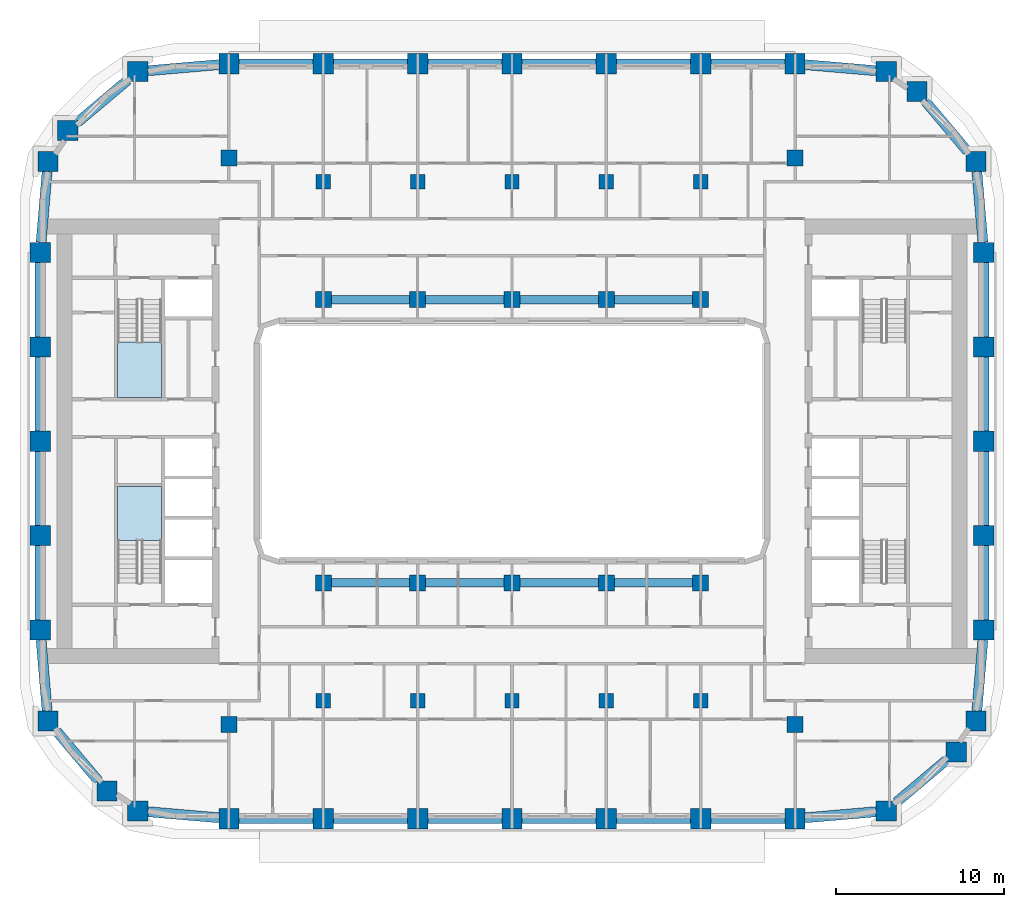
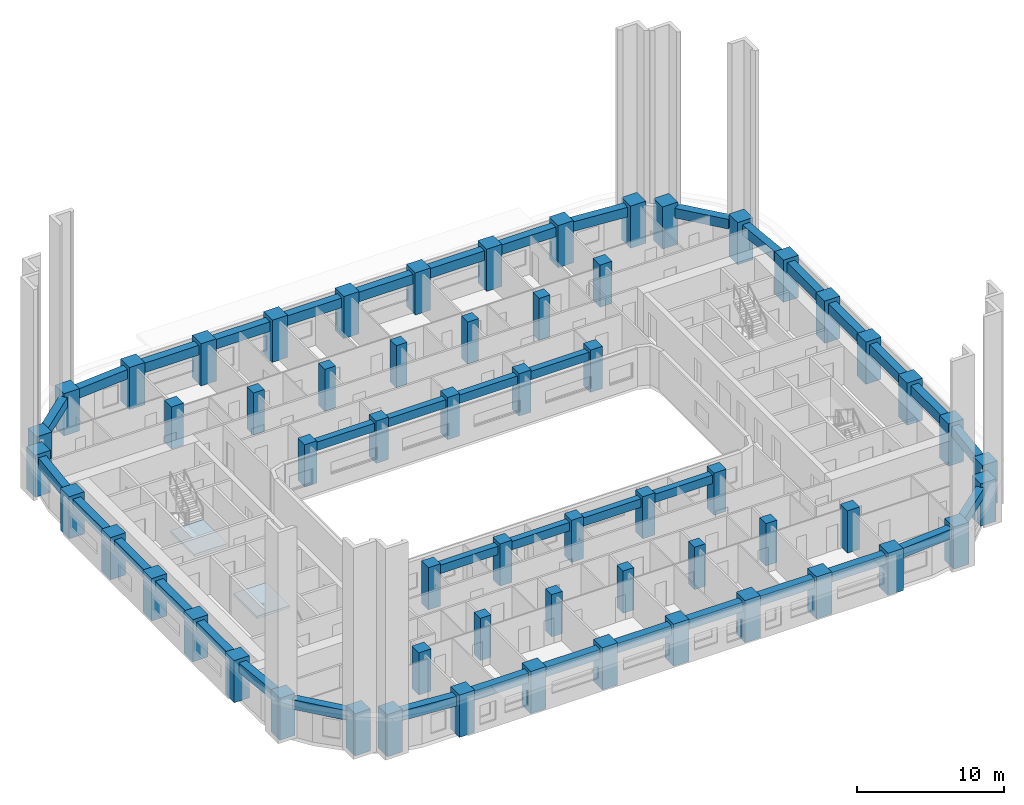
# One storey, part 1 of 23: 60 columns, 40 beams, 2 slabs, 2 elements without a shape of their own.
"""IFC4 building model written with IfcOpenShell, lengths in metres."""

from ifc_helpers import new_model, si_unit, direction, frame, origin, origin_2d, place, context, subcontext, project, spatial, polyline, rectangle, outline, extrude, material, layer, layer_set, material_profile, profile_set, type_object, element, aggregate, save


model = new_model("IFC4")

# Units and contexts
model_context = context("Model", 3, precision=1e-05, world=origin(), true_north=direction((0.0, 1.0)))
body_context = subcontext(model_context, "Body", "Model", "MODEL_VIEW")
ifc_project = project(units=[si_unit("LENGTHUNIT", "METRE"), si_unit("AREAUNIT", "SQUARE_METRE"), si_unit("VOLUMEUNIT", "CUBIC_METRE"), si_unit("PLANEANGLEUNIT", "RADIAN"), si_unit("MASSUNIT", "GRAM", prefix="KILO")], contexts=[model_context])

# Site, building, storey
site_placement = place(None, origin())
site = spatial("IfcSite", under=ifc_project, at=site_placement, CompositionType="ELEMENT")
building_placement = place(site_placement, origin())
building = spatial("IfcBuilding", under=site, at=building_placement, Name="Kiln Ring Residences", CompositionType="ELEMENT")
storey_placement = place(building_placement, frame((0.0, 0.0, 107.800048828125)))
storey = spatial("IfcBuildingStorey", under=building, at=storey_placement, Name="L27", CompositionType="ELEMENT", Elevation=107.800048828125)

# Columns
ifc_material_1 = material(Name="Concrete C80/95", Category="concrete")
ifc_material_profile_1 = material_profile(ifc_material_1, rectangle(XDim=0.85009765625, YDim=0.85009765625, at=origin_2d()), Name="RC850x850")
ifc_profile_set_1 = profile_set([ifc_material_profile_1], Name="Concrete C80/95")
column_type_1 = type_object("IfcColumnType", Name="Corridor column RC850x850 C80/95", PredefinedType="COLUMN", material=ifc_profile_set_1)
for number, where, z_axis, x_axis, name in (
    (1, (-11.199951171875, 15.39990234375, 0.0), (0.0, 0.0, 1.0), (1.0, 0.0, 0.0), "Corridor column L27 1"),
    (2, (-5.60009765625, 15.39990234375, 0.0), (0.0, 0.0, 1.0), (1.0, 0.0, 0.0), "Corridor column L27 2"),
    (3, (0.0, 15.39990234375, 0.0), (0.0, 0.0, 1.0), (1.0, 0.0, 0.0), "Corridor column L27 3"),
    (4, (5.60009765625, 15.39990234375, 0.0), (0.0, 0.0, 1.0), (1.0, 0.0, 0.0), "Corridor column L27 4"),
    (5, (11.199951171875, 15.39990234375, 0.0), (0.0, 0.0, 1.0), (1.0, 0.0, 0.0), "Corridor column L27 5"),
    (6, (-11.199951171875, -15.39990234375, 0.0), (0.0, 0.0, 1.0), (1.0, 0.0, 0.0), "Corridor column L27 6"),
    (7, (-5.60009765625, -15.39990234375, 0.0), (0.0, 0.0, 1.0), (1.0, 0.0, 0.0), "Corridor column L27 7"),
    (8, (0.0, -15.39990234375, 0.0), (0.0, 0.0, 1.0), (1.0, 0.0, 0.0), "Corridor column L27 8"),
    (9, (5.60009765625, -15.39990234375, 0.0), (0.0, 0.0, 1.0), (1.0, 0.0, 0.0), "Corridor column L27 9"),
    (10, (11.199951171875, -15.39990234375, 0.0), (0.0, 0.0, 1.0), (1.0, 0.0, 0.0), "Corridor column L27 10"),
):
    element("IfcColumn", number, at=place(storey_placement, frame(where, z_axis=z_axis, x_axis=x_axis)), inside=storey, type_object=column_type_1, Name=name, PredefinedType="COLUMN", context=body_context, shape_type="SweptSolid", body=[
        extrude(rectangle(XDim=0.85009765625, YDim=0.85009765625, at=origin_2d()), origin(), (0.0, 0.0, 1.0), 3.5),
    ])
ifc_material_2 = material(Name="Concrete C80/95", Category="concrete")
ifc_material_profile_2 = material_profile(ifc_material_2, rectangle(XDim=1.199951171875, YDim=1.199951171875, at=origin_2d()), Name="RC1200x1200")
ifc_profile_set_2 = profile_set([ifc_material_profile_2], Name="Concrete C80/95")
column_type_2 = type_object("IfcColumnType", Name="Perimeter column RC1200x1200 C80/95", PredefinedType="COLUMN", material=ifc_profile_set_2)
for number, where, z_axis, x_axis, name in (
    (11, (-22.208740234375, -21.93798828125, 0.0), (0.0, 0.0, 1.0), (1.0, 0.0, 0.0), "Perimeter column L27 1"),
    (12, (-16.800048828125, -22.39990234375, 0.0), (0.0, 0.0, 1.0), (1.0, 0.0, 0.0), "Perimeter column L27 2"),
    (13, (-11.199951171875, -22.39990234375, 0.0), (0.0, 0.0, 1.0), (1.0, 0.0, 0.0), "Perimeter column L27 3"),
    (14, (-5.60009765625, -22.39990234375, 0.0), (0.0, 0.0, 1.0), (1.0, 0.0, 0.0), "Perimeter column L27 4"),
    (15, (0.0, -22.39990234375, 0.0), (0.0, 0.0, 1.0), (1.0, 0.0, 0.0), "Perimeter column L27 5"),
    (16, (5.60009765625, -22.39990234375, 0.0), (0.0, 0.0, 1.0), (1.0, 0.0, 0.0), "Perimeter column L27 6"),
    (17, (11.199951171875, -22.39990234375, 0.0), (0.0, 0.0, 1.0), (1.0, 0.0, 0.0), "Perimeter column L27 7"),
    (18, (16.800048828125, -22.39990234375, 0.0), (0.0, 0.0, 1.0), (1.0, 0.0, 0.0), "Perimeter column L27 8"),
    (19, (22.208740234375, -21.93798828125, 0.0), (0.0, 0.0, 1.0), (1.0, 0.0, 0.0), "Perimeter column L27 9"),
    (20, (26.35986328125, -18.440185546875, 0.0), (0.0, 0.0, 1.0), (1.0, 0.0, 0.0), "Perimeter column L27 10"),
    (21, (27.5380859375, -16.608642578125, 0.0), (0.0, 0.0, 1.0), (1.0, 0.0, 0.0), "Perimeter column L27 11"),
    (22, (28.0, -11.199951171875, 0.0), (0.0, 0.0, 1.0), (1.0, 0.0, 0.0), "Perimeter column L27 12"),
    (23, (28.0, -5.60009765625, 0.0), (0.0, 0.0, 1.0), (1.0, 0.0, 0.0), "Perimeter column L27 13"),
    (24, (28.0, 0.0, 0.0), (0.0, 0.0, 1.0), (1.0, 0.0, 0.0), "Perimeter column L27 14"),
    (25, (28.0, 5.60009765625, 0.0), (0.0, 0.0, 1.0), (1.0, 0.0, 0.0), "Perimeter column L27 15"),
    (26, (28.0, 11.199951171875, 0.0), (0.0, 0.0, 1.0), (1.0, 0.0, 0.0), "Perimeter column L27 16"),
    (27, (27.5380859375, 16.608642578125, 0.0), (0.0, 0.0, 1.0), (1.0, 0.0, 0.0), "Perimeter column L27 17"),
    (28, (24.040283203125, 20.759765625, 0.0), (0.0, 0.0, 1.0), (1.0, 0.0, 0.0), "Perimeter column L27 18"),
    (29, (22.208740234375, 21.93798828125, 0.0), (0.0, 0.0, 1.0), (1.0, 0.0, 0.0), "Perimeter column L27 19"),
    (30, (16.800048828125, 22.39990234375, 0.0), (0.0, 0.0, 1.0), (1.0, 0.0, 0.0), "Perimeter column L27 20"),
    (31, (11.199951171875, 22.39990234375, 0.0), (0.0, 0.0, 1.0), (1.0, 0.0, 0.0), "Perimeter column L27 21"),
    (32, (5.60009765625, 22.39990234375, 0.0), (0.0, 0.0, 1.0), (1.0, 0.0, 0.0), "Perimeter column L27 22"),
    (33, (0.0, 22.39990234375, 0.0), (0.0, 0.0, 1.0), (1.0, 0.0, 0.0), "Perimeter column L27 23"),
    (34, (-5.60009765625, 22.39990234375, 0.0), (0.0, 0.0, 1.0), (1.0, 0.0, 0.0), "Perimeter column L27 24"),
    (35, (-11.199951171875, 22.39990234375, 0.0), (0.0, 0.0, 1.0), (1.0, 0.0, 0.0), "Perimeter column L27 25"),
    (36, (-16.800048828125, 22.39990234375, 0.0), (0.0, 0.0, 1.0), (1.0, 0.0, 0.0), "Perimeter column L27 26"),
    (37, (-22.208740234375, 21.93798828125, 0.0), (0.0, 0.0, 1.0), (1.0, 0.0, 0.0), "Perimeter column L27 27"),
    (38, (-26.35986328125, 18.440185546875, 0.0), (0.0, 0.0, 1.0), (1.0, 0.0, 0.0), "Perimeter column L27 28"),
    (39, (-27.5380859375, 16.608642578125, 0.0), (0.0, 0.0, 1.0), (1.0, 0.0, 0.0), "Perimeter column L27 29"),
    (40, (-28.0, 11.199951171875, 0.0), (0.0, 0.0, 1.0), (1.0, 0.0, 0.0), "Perimeter column L27 30"),
    (41, (-28.0, 5.60009765625, 0.0), (0.0, 0.0, 1.0), (1.0, 0.0, 0.0), "Perimeter column L27 31"),
    (42, (-28.0, 0.0, 0.0), (0.0, 0.0, 1.0), (1.0, 0.0, 0.0), "Perimeter column L27 32"),
    (43, (-28.0, -5.60009765625, 0.0), (0.0, 0.0, 1.0), (1.0, 0.0, 0.0), "Perimeter column L27 33"),
    (44, (-28.0, -11.199951171875, 0.0), (0.0, 0.0, 1.0), (1.0, 0.0, 0.0), "Perimeter column L27 34"),
    (45, (-27.5380859375, -16.608642578125, 0.0), (0.0, 0.0, 1.0), (1.0, 0.0, 0.0), "Perimeter column L27 35"),
    (46, (-24.040283203125, -20.759765625, 0.0), (0.0, 0.0, 1.0), (1.0, 0.0, 0.0), "Perimeter column L27 36"),
):
    element("IfcColumn", number, at=place(storey_placement, frame(where, z_axis=z_axis, x_axis=x_axis)), inside=storey, type_object=column_type_2, Name=name, PredefinedType="COLUMN", context=body_context, shape_type="SweptSolid", body=[
        extrude(rectangle(XDim=1.199951171875, YDim=1.199951171875, at=origin_2d()), origin(), (0.0, 0.0, 1.0), 3.5),
    ])
ifc_material_3 = material(Name="Concrete C80/95", Category="concrete")
ifc_material_profile_3 = material_profile(ifc_material_3, rectangle(XDim=0.949951171875, YDim=0.949951171875, at=origin_2d()), Name="RC950x950")
ifc_profile_set_3 = profile_set([ifc_material_profile_3], Name="Concrete C80/95")
column_type_3 = type_object("IfcColumnType", Name="Ring column RC950x950 C80/95", PredefinedType="COLUMN", material=ifc_profile_set_3)
for number, where, z_axis, x_axis, name in (
    (47, (-16.800048828125, -16.800048828125, 0.0), (0.0, 0.0, 1.0), (1.0, 0.0, 0.0), "Ring column L27 1"),
    (48, (-16.800048828125, 16.800048828125, 0.0), (0.0, 0.0, 1.0), (1.0, 0.0, 0.0), "Ring column L27 2"),
    (49, (-11.199951171875, -8.39990234375, 0.0), (0.0, 0.0, 1.0), (1.0, 0.0, 0.0), "Ring column L27 3"),
    (50, (-11.199951171875, 8.39990234375, 0.0), (0.0, 0.0, 1.0), (1.0, 0.0, 0.0), "Ring column L27 4"),
    (51, (-5.60009765625, -8.39990234375, 0.0), (0.0, 0.0, 1.0), (1.0, 0.0, 0.0), "Ring column L27 5"),
    (52, (-5.60009765625, 8.39990234375, 0.0), (0.0, 0.0, 1.0), (1.0, 0.0, 0.0), "Ring column L27 6"),
    (53, (0.0, -8.39990234375, 0.0), (0.0, 0.0, 1.0), (1.0, 0.0, 0.0), "Ring column L27 7"),
    (54, (0.0, 8.39990234375, 0.0), (0.0, 0.0, 1.0), (1.0, 0.0, 0.0), "Ring column L27 8"),
    (55, (5.60009765625, -8.39990234375, 0.0), (0.0, 0.0, 1.0), (1.0, 0.0, 0.0), "Ring column L27 9"),
    (56, (5.60009765625, 8.39990234375, 0.0), (0.0, 0.0, 1.0), (1.0, 0.0, 0.0), "Ring column L27 10"),
    (57, (11.199951171875, -8.39990234375, 0.0), (0.0, 0.0, 1.0), (1.0, 0.0, 0.0), "Ring column L27 11"),
    (58, (11.199951171875, 8.39990234375, 0.0), (0.0, 0.0, 1.0), (1.0, 0.0, 0.0), "Ring column L27 12"),
    (59, (16.800048828125, -16.800048828125, 0.0), (0.0, 0.0, 1.0), (1.0, 0.0, 0.0), "Ring column L27 13"),
    (60, (16.800048828125, 16.800048828125, 0.0), (0.0, 0.0, 1.0), (1.0, 0.0, 0.0), "Ring column L27 14"),
):
    element("IfcColumn", number, at=place(storey_placement, frame(where, z_axis=z_axis, x_axis=x_axis)), inside=storey, type_object=column_type_3, Name=name, PredefinedType="COLUMN", context=body_context, shape_type="SweptSolid", body=[
        extrude(rectangle(XDim=0.949951171875, YDim=0.949951171875, at=origin_2d()), origin(), (0.0, 0.0, 1.0), 3.5),
    ])

# Beams
ifc_material_4 = material(Name="Concrete C50/60", Category="concrete")
ifc_material_profile_4 = material_profile(ifc_material_4, rectangle(XDim=0.5, YDim=0.699951171875, at=origin_2d()), Name="RC500x700")
ifc_profile_set_4 = profile_set([ifc_material_profile_4], Name="Concrete C50/60")
beam_type_1 = type_object("IfcBeamType", Name="Ring beam RC500x700 C50/60", PredefinedType="BEAM", material=ifc_profile_set_4)
beam_1_placement = place(storey_placement, frame((-10.72509765625, -8.39990234375, 2.849853515625), z_axis=(1.0, 0.0, 0.0), x_axis=(0.0, 1.0, 0.0)))
element("IfcBeam", 61, at=beam_1_placement, inside=storey, type_object=beam_type_1, Name="Ring beam L27 1", PredefinedType="BEAM", context=body_context, shape_type="SweptSolid", body=[
    extrude(rectangle(XDim=0.5, YDim=0.699951171875, at=origin_2d()), origin(), (0.0, 0.0, 1.0), 4.650146484375),
])
for number, where, z_axis, x_axis, name in (
    (62, (-5.125, -8.39990234375, 2.849853515625), (1.0, 0.0, 0.0), (0.0, 1.0, 0.0), "Ring beam L27 2"),
    (63, (0.47509765625, -8.39990234375, 2.849853515625), (1.0, 0.0, 0.0), (0.0, 1.0, 0.0), "Ring beam L27 3"),
):
    element("IfcBeam", number, at=place(storey_placement, frame(where, z_axis=z_axis, x_axis=x_axis)), inside=storey, type_object=beam_type_1, Name=name, PredefinedType="BEAM", context=body_context, shape_type="SweptSolid", body=[
        extrude(rectangle(XDim=0.5, YDim=0.699951171875, at=origin_2d()), origin(), (0.0, 0.0, 1.0), 4.64990234375),
    ])
for number, where, z_axis, x_axis, name in (
    (64, (6.074951171875, -8.39990234375, 2.849853515625), (1.0, 0.0, 0.0), (0.0, 1.0, 0.0), "Ring beam L27 4"),
    (65, (-10.72509765625, 8.39990234375, 2.849853515625), (1.0, 0.0, 0.0), (0.0, 1.0, 0.0), "Ring beam L27 5"),
):
    element("IfcBeam", number, at=place(storey_placement, frame(where, z_axis=z_axis, x_axis=x_axis)), inside=storey, type_object=beam_type_1, Name=name, PredefinedType="BEAM", context=body_context, shape_type="SweptSolid", body=[
        extrude(rectangle(XDim=0.5, YDim=0.699951171875, at=origin_2d()), origin(), (0.0, 0.0, 1.0), 4.650146484375),
    ])
for number, where, z_axis, x_axis, name in (
    (66, (-5.125, 8.39990234375, 2.849853515625), (1.0, 0.0, 0.0), (0.0, 1.0, 0.0), "Ring beam L27 6"),
    (67, (0.47509765625, 8.39990234375, 2.849853515625), (1.0, 0.0, 0.0), (0.0, 1.0, 0.0), "Ring beam L27 7"),
):
    element("IfcBeam", number, at=place(storey_placement, frame(where, z_axis=z_axis, x_axis=x_axis)), inside=storey, type_object=beam_type_1, Name=name, PredefinedType="BEAM", context=body_context, shape_type="SweptSolid", body=[
        extrude(rectangle(XDim=0.5, YDim=0.699951171875, at=origin_2d()), origin(), (0.0, 0.0, 1.0), 4.64990234375),
    ])
beam_2_placement = place(storey_placement, frame((6.074951171875, 8.39990234375, 2.849853515625), z_axis=(1.0, 0.0, 0.0), x_axis=(0.0, 1.0, 0.0)))
element("IfcBeam", 68, at=beam_2_placement, inside=storey, type_object=beam_type_1, Name="Ring beam L27 8", PredefinedType="BEAM", context=body_context, shape_type="SweptSolid", body=[
    extrude(rectangle(XDim=0.5, YDim=0.699951171875, at=origin_2d()), origin(), (0.0, 0.0, 1.0), 4.650146484375),
])
ifc_material_5 = material(Name="Concrete C50/60", Category="concrete")
ifc_material_profile_5 = material_profile(ifc_material_5, rectangle(XDim=0.60009765625, YDim=0.800048828125, at=origin_2d()), Name="RC600x800")
ifc_profile_set_5 = profile_set([ifc_material_profile_5], Name="Concrete C50/60")
beam_type_2 = type_object("IfcBeamType", Name="Spandrel beam RC600x800 C50/60", PredefinedType="SPANDREL", material=ifc_profile_set_5)
beam_3_placement = place(storey_placement, frame((-21.608642578125, -21.9892578125, 2.800048828125), z_axis=(0.996369376645, -0.085135570033, 0.0), x_axis=(0.085135570033, 0.996369376645, 0.0)))
element("IfcBeam", 69, at=beam_3_placement, inside=storey, type_object=beam_type_2, Name="Spandrel beam L27 1", PredefinedType="SPANDREL", context=body_context, shape_type="SweptSolid", body=[
    extrude(rectangle(XDim=0.60009765625, YDim=0.800048828125, at=origin_2d()), origin(), (0.0, 0.0, 1.0), 4.22412109375),
])
beam_4_placement = place(storey_placement, frame((-16.199951171875, -22.39990234375, 2.800048828125), z_axis=(1.0, 0.0, 0.0), x_axis=(0.0, 1.0, 0.0)))
element("IfcBeam", 70, at=beam_4_placement, inside=storey, type_object=beam_type_2, Name="Spandrel beam L27 2", PredefinedType="SPANDREL", context=body_context, shape_type="SweptSolid", body=[
    extrude(rectangle(XDim=0.60009765625, YDim=0.800048828125, at=origin_2d()), origin(), (0.0, 0.0, 1.0), 4.39990234375),
])
beam_5_placement = place(storey_placement, frame((-10.60009765625, -22.39990234375, 2.800048828125), z_axis=(1.0, 0.0, 0.0), x_axis=(0.0, 1.0, 0.0)))
element("IfcBeam", 71, at=beam_5_placement, inside=storey, type_object=beam_type_2, Name="Spandrel beam L27 3", PredefinedType="SPANDREL", context=body_context, shape_type="SweptSolid", body=[
    extrude(rectangle(XDim=0.60009765625, YDim=0.800048828125, at=origin_2d()), origin(), (0.0, 0.0, 1.0), 4.400146484375),
])
for number, where, z_axis, x_axis, name in (
    (72, (-5.0, -22.39990234375, 2.800048828125), (1.0, 0.0, 0.0), (0.0, 1.0, 0.0), "Spandrel beam L27 4"),
    (73, (0.60009765625, -22.39990234375, 2.800048828125), (1.0, 0.0, 0.0), (0.0, 1.0, 0.0), "Spandrel beam L27 5"),
):
    element("IfcBeam", number, at=place(storey_placement, frame(where, z_axis=z_axis, x_axis=x_axis)), inside=storey, type_object=beam_type_2, Name=name, PredefinedType="SPANDREL", context=body_context, shape_type="SweptSolid", body=[
        extrude(rectangle(XDim=0.60009765625, YDim=0.800048828125, at=origin_2d()), origin(), (0.0, 0.0, 1.0), 4.39990234375),
    ])
beam_6_placement = place(storey_placement, frame((6.199951171875, -22.39990234375, 2.800048828125), z_axis=(1.0, 0.0, 0.0), x_axis=(0.0, 1.0, 0.0)))
element("IfcBeam", 74, at=beam_6_placement, inside=storey, type_object=beam_type_2, Name="Spandrel beam L27 6", PredefinedType="SPANDREL", context=body_context, shape_type="SweptSolid", body=[
    extrude(rectangle(XDim=0.60009765625, YDim=0.800048828125, at=origin_2d()), origin(), (0.0, 0.0, 1.0), 4.400146484375),
])
beam_7_placement = place(storey_placement, frame((11.800048828125, -22.39990234375, 2.800048828125), z_axis=(1.0, 0.0, 0.0), x_axis=(0.0, 1.0, 0.0)))
element("IfcBeam", 75, at=beam_7_placement, inside=storey, type_object=beam_type_2, Name="Spandrel beam L27 7", PredefinedType="SPANDREL", context=body_context, shape_type="SweptSolid", body=[
    extrude(rectangle(XDim=0.60009765625, YDim=0.800048828125, at=origin_2d()), origin(), (0.0, 0.0, 1.0), 4.39990234375),
])
beam_8_placement = place(storey_placement, frame((17.39990234375, -22.348876953125, 2.800048828125), z_axis=(0.996369376645, 0.085135570033, 0.0), x_axis=(-0.085135570033, 0.996369376645, 0.0)))
element("IfcBeam", 76, at=beam_8_placement, inside=storey, type_object=beam_type_2, Name="Spandrel beam L27 8", PredefinedType="SPANDREL", context=body_context, shape_type="SweptSolid", body=[
    extrude(rectangle(XDim=0.60009765625, YDim=0.800048828125, at=origin_2d()), origin(), (0.0, 0.0, 1.0), 4.22412109375),
])
beam_9_placement = place(storey_placement, frame((22.80859375, -21.4326171875, 2.800048828125), z_axis=(0.764704456802, 0.644381171161, 0.0), x_axis=(-0.644381171161, 0.764704456802, 0.0)))
element("IfcBeam", 77, at=beam_9_placement, inside=storey, type_object=beam_type_2, Name="Spandrel beam L27 9", PredefinedType="SPANDREL", context=body_context, shape_type="SweptSolid", body=[
    extrude(rectangle(XDim=0.60009765625, YDim=0.800048828125, at=origin_2d()), origin(), (0.0, 0.0, 1.0), 3.859130859375),
])
beam_10_placement = place(storey_placement, frame((27.58935546875, -16.0087890625, 2.800048828125), z_axis=(0.085078191129, 0.996374277766, 0.0), x_axis=(-0.996374277766, 0.085078191129, 0.0)))
element("IfcBeam", 78, at=beam_10_placement, inside=storey, type_object=beam_type_2, Name="Spandrel beam L27 10", PredefinedType="SPANDREL", context=body_context, shape_type="SweptSolid", body=[
    extrude(rectangle(XDim=0.60009765625, YDim=0.800048828125, at=origin_2d()), origin(), (0.0, 0.0, 1.0), 4.22412109375),
])
beam_11_placement = place(storey_placement, frame((28.0, -10.60009765625, 2.800048828125), z_axis=(0.0, 1.0, 0.0), x_axis=(-1.0, 0.0, 0.0)))
element("IfcBeam", 79, at=beam_11_placement, inside=storey, type_object=beam_type_2, Name="Spandrel beam L27 11", PredefinedType="SPANDREL", context=body_context, shape_type="SweptSolid", body=[
    extrude(rectangle(XDim=0.60009765625, YDim=0.800048828125, at=origin_2d()), origin(), (0.0, 0.0, 1.0), 4.400146484375),
])
for number, where, z_axis, x_axis, name in (
    (80, (28.0, -5.0, 2.800048828125), (0.0, 1.0, 0.0), (-1.0, 0.0, 0.0), "Spandrel beam L27 12"),
    (81, (28.0, 0.60009765625, 2.800048828125), (0.0, 1.0, 0.0), (-1.0, 0.0, 0.0), "Spandrel beam L27 13"),
):
    element("IfcBeam", number, at=place(storey_placement, frame(where, z_axis=z_axis, x_axis=x_axis)), inside=storey, type_object=beam_type_2, Name=name, PredefinedType="SPANDREL", context=body_context, shape_type="SweptSolid", body=[
        extrude(rectangle(XDim=0.60009765625, YDim=0.800048828125, at=origin_2d()), origin(), (0.0, 0.0, 1.0), 4.39990234375),
    ])
beam_12_placement = place(storey_placement, frame((28.0, 6.199951171875, 2.800048828125), z_axis=(0.0, 1.0, 0.0), x_axis=(-1.0, 0.0, 0.0)))
element("IfcBeam", 82, at=beam_12_placement, inside=storey, type_object=beam_type_2, Name="Spandrel beam L27 14", PredefinedType="SPANDREL", context=body_context, shape_type="SweptSolid", body=[
    extrude(rectangle(XDim=0.60009765625, YDim=0.800048828125, at=origin_2d()), origin(), (0.0, 0.0, 1.0), 4.400146484375),
])
beam_13_placement = place(storey_placement, frame((27.94873046875, 11.800048828125, 2.800048828125), z_axis=(-0.085078191129, 0.996374277766, 0.0), x_axis=(-0.996374277766, -0.085078191129, 0.0)))
element("IfcBeam", 83, at=beam_13_placement, inside=storey, type_object=beam_type_2, Name="Spandrel beam L27 15", PredefinedType="SPANDREL", context=body_context, shape_type="SweptSolid", body=[
    extrude(rectangle(XDim=0.60009765625, YDim=0.800048828125, at=origin_2d()), origin(), (0.0, 0.0, 1.0), 4.22412109375),
])
beam_14_placement = place(storey_placement, frame((27.032470703125, 17.208740234375, 2.800048828125), z_axis=(-0.644344175314, 0.764735629965, 0.0), x_axis=(-0.764735629965, -0.644344175314, 0.0)))
element("IfcBeam", 84, at=beam_14_placement, inside=storey, type_object=beam_type_2, Name="Spandrel beam L27 16", PredefinedType="SPANDREL", context=body_context, shape_type="SweptSolid", body=[
    extrude(rectangle(XDim=0.60009765625, YDim=0.800048828125, at=origin_2d()), origin(), (0.0, 0.0, 1.0), 3.859130859375),
])
beam_15_placement = place(storey_placement, frame((21.608642578125, 21.9892578125, 2.800048828125), z_axis=(-0.996369376645, 0.085135570033, 0.0), x_axis=(-0.085135570033, -0.996369376645, 0.0)))
element("IfcBeam", 85, at=beam_15_placement, inside=storey, type_object=beam_type_2, Name="Spandrel beam L27 17", PredefinedType="SPANDREL", context=body_context, shape_type="SweptSolid", body=[
    extrude(rectangle(XDim=0.60009765625, YDim=0.800048828125, at=origin_2d()), origin(), (0.0, 0.0, 1.0), 4.22412109375),
])
beam_16_placement = place(storey_placement, frame((16.199951171875, 22.39990234375, 2.800048828125), z_axis=(-1.0, 0.0, 0.0), x_axis=(0.0, -1.0, 0.0)))
element("IfcBeam", 86, at=beam_16_placement, inside=storey, type_object=beam_type_2, Name="Spandrel beam L27 18", PredefinedType="SPANDREL", context=body_context, shape_type="SweptSolid", body=[
    extrude(rectangle(XDim=0.60009765625, YDim=0.800048828125, at=origin_2d()), origin(), (0.0, 0.0, 1.0), 4.39990234375),
])
beam_17_placement = place(storey_placement, frame((10.60009765625, 22.39990234375, 2.800048828125), z_axis=(-1.0, 0.0, 0.0), x_axis=(0.0, -1.0, 0.0)))
element("IfcBeam", 87, at=beam_17_placement, inside=storey, type_object=beam_type_2, Name="Spandrel beam L27 19", PredefinedType="SPANDREL", context=body_context, shape_type="SweptSolid", body=[
    extrude(rectangle(XDim=0.60009765625, YDim=0.800048828125, at=origin_2d()), origin(), (0.0, 0.0, 1.0), 4.400146484375),
])
for number, where, z_axis, x_axis, name in (
    (88, (5.0, 22.39990234375, 2.800048828125), (-1.0, 0.0, 0.0), (0.0, -1.0, 0.0), "Spandrel beam L27 20"),
    (89, (-0.60009765625, 22.39990234375, 2.800048828125), (-1.0, 0.0, 0.0), (0.0, -1.0, 0.0), "Spandrel beam L27 21"),
):
    element("IfcBeam", number, at=place(storey_placement, frame(where, z_axis=z_axis, x_axis=x_axis)), inside=storey, type_object=beam_type_2, Name=name, PredefinedType="SPANDREL", context=body_context, shape_type="SweptSolid", body=[
        extrude(rectangle(XDim=0.60009765625, YDim=0.800048828125, at=origin_2d()), origin(), (0.0, 0.0, 1.0), 4.39990234375),
    ])
beam_18_placement = place(storey_placement, frame((-6.199951171875, 22.39990234375, 2.800048828125), z_axis=(-1.0, 0.0, 0.0), x_axis=(0.0, -1.0, 0.0)))
element("IfcBeam", 90, at=beam_18_placement, inside=storey, type_object=beam_type_2, Name="Spandrel beam L27 22", PredefinedType="SPANDREL", context=body_context, shape_type="SweptSolid", body=[
    extrude(rectangle(XDim=0.60009765625, YDim=0.800048828125, at=origin_2d()), origin(), (0.0, 0.0, 1.0), 4.400146484375),
])
beam_19_placement = place(storey_placement, frame((-11.800048828125, 22.39990234375, 2.800048828125), z_axis=(-1.0, 0.0, 0.0), x_axis=(0.0, -1.0, 0.0)))
element("IfcBeam", 91, at=beam_19_placement, inside=storey, type_object=beam_type_2, Name="Spandrel beam L27 23", PredefinedType="SPANDREL", context=body_context, shape_type="SweptSolid", body=[
    extrude(rectangle(XDim=0.60009765625, YDim=0.800048828125, at=origin_2d()), origin(), (0.0, 0.0, 1.0), 4.39990234375),
])
beam_20_placement = place(storey_placement, frame((-17.39990234375, 22.348876953125, 2.800048828125), z_axis=(-0.996369376645, -0.085135570033, 0.0), x_axis=(0.085135570033, -0.996369376645, 0.0)))
element("IfcBeam", 92, at=beam_20_placement, inside=storey, type_object=beam_type_2, Name="Spandrel beam L27 24", PredefinedType="SPANDREL", context=body_context, shape_type="SweptSolid", body=[
    extrude(rectangle(XDim=0.60009765625, YDim=0.800048828125, at=origin_2d()), origin(), (0.0, 0.0, 1.0), 4.22412109375),
])
beam_21_placement = place(storey_placement, frame((-22.80859375, 21.4326171875, 2.800048828125), z_axis=(-0.764704456802, -0.644381171161, 0.0), x_axis=(0.644381171161, -0.764704456802, 0.0)))
element("IfcBeam", 93, at=beam_21_placement, inside=storey, type_object=beam_type_2, Name="Spandrel beam L27 25", PredefinedType="SPANDREL", context=body_context, shape_type="SweptSolid", body=[
    extrude(rectangle(XDim=0.60009765625, YDim=0.800048828125, at=origin_2d()), origin(), (0.0, 0.0, 1.0), 3.859130859375),
])
beam_22_placement = place(storey_placement, frame((-27.58935546875, 16.0087890625, 2.800048828125), z_axis=(-0.085078191129, -0.996374277766, 0.0), x_axis=(0.996374277766, -0.085078191129, 0.0)))
element("IfcBeam", 94, at=beam_22_placement, inside=storey, type_object=beam_type_2, Name="Spandrel beam L27 26", PredefinedType="SPANDREL", context=body_context, shape_type="SweptSolid", body=[
    extrude(rectangle(XDim=0.60009765625, YDim=0.800048828125, at=origin_2d()), origin(), (0.0, 0.0, 1.0), 4.22412109375),
])
beam_23_placement = place(storey_placement, frame((-28.0, 10.60009765625, 2.800048828125), z_axis=(0.0, -1.0, 0.0), x_axis=(1.0, 0.0, 0.0)))
element("IfcBeam", 95, at=beam_23_placement, inside=storey, type_object=beam_type_2, Name="Spandrel beam L27 27", PredefinedType="SPANDREL", context=body_context, shape_type="SweptSolid", body=[
    extrude(rectangle(XDim=0.60009765625, YDim=0.800048828125, at=origin_2d()), origin(), (0.0, 0.0, 1.0), 4.400146484375),
])
for number, where, z_axis, x_axis, name in (
    (96, (-28.0, 5.0, 2.800048828125), (0.0, -1.0, 0.0), (1.0, 0.0, 0.0), "Spandrel beam L27 28"),
    (97, (-28.0, -0.60009765625, 2.800048828125), (0.0, -1.0, 0.0), (1.0, 0.0, 0.0), "Spandrel beam L27 29"),
):
    element("IfcBeam", number, at=place(storey_placement, frame(where, z_axis=z_axis, x_axis=x_axis)), inside=storey, type_object=beam_type_2, Name=name, PredefinedType="SPANDREL", context=body_context, shape_type="SweptSolid", body=[
        extrude(rectangle(XDim=0.60009765625, YDim=0.800048828125, at=origin_2d()), origin(), (0.0, 0.0, 1.0), 4.39990234375),
    ])
beam_24_placement = place(storey_placement, frame((-28.0, -6.199951171875, 2.800048828125), z_axis=(0.0, -1.0, 0.0), x_axis=(1.0, 0.0, 0.0)))
element("IfcBeam", 98, at=beam_24_placement, inside=storey, type_object=beam_type_2, Name="Spandrel beam L27 30", PredefinedType="SPANDREL", context=body_context, shape_type="SweptSolid", body=[
    extrude(rectangle(XDim=0.60009765625, YDim=0.800048828125, at=origin_2d()), origin(), (0.0, 0.0, 1.0), 4.400146484375),
])
beam_25_placement = place(storey_placement, frame((-27.94873046875, -11.800048828125, 2.800048828125), z_axis=(0.085078191129, -0.996374277766, 0.0), x_axis=(0.996374277766, 0.085078191129, 0.0)))
element("IfcBeam", 99, at=beam_25_placement, inside=storey, type_object=beam_type_2, Name="Spandrel beam L27 31", PredefinedType="SPANDREL", context=body_context, shape_type="SweptSolid", body=[
    extrude(rectangle(XDim=0.60009765625, YDim=0.800048828125, at=origin_2d()), origin(), (0.0, 0.0, 1.0), 4.22412109375),
])
beam_26_placement = place(storey_placement, frame((-27.032470703125, -17.208740234375, 2.800048828125), z_axis=(0.644344175314, -0.764735629965, 0.0), x_axis=(0.764735629965, 0.644344175314, 0.0)))
element("IfcBeam", 100, at=beam_26_placement, inside=storey, type_object=beam_type_2, Name="Spandrel beam L27 32", PredefinedType="SPANDREL", context=body_context, shape_type="SweptSolid", body=[
    extrude(rectangle(XDim=0.60009765625, YDim=0.800048828125, at=origin_2d()), origin(), (0.0, 0.0, 1.0), 3.859130859375),
])

# Stair, slab
ifc_material_6 = material(Name="Concrete C40/50", Category="concrete")
stair_type = type_object("IfcStairType", Name="CORE-STAIR", PredefinedType="HALF_TURN_STAIR", material=ifc_material_6)
placement_1 = place(storey_placement, origin())
stair_1 = element("IfcStair", 101, at=placement_1, inside=storey, type_object=stair_type, Name="L27 stair W-STN", PredefinedType="HALF_TURN_STAIR")
ifc_material_7 = material(Name="Concrete C40/50", Category="concrete")
ifc_layer = layer(ifc_material_7, 0.199951171875)
ifc_layer_set = layer_set([ifc_layer], Name="CORE-STAIR-LANDING")
slab_type = type_object("IfcSlabType", Name="CORE-STAIR-LANDING", PredefinedType="LANDING", material=ifc_layer_set)
placement_2 = place(storey_placement, frame((0.0, 0.0, 1.550048828125)))
slab_1 = element("IfcSlab", 102, at=placement_2, type_object=slab_type, Name="W-STN landing 1", PredefinedType="LANDING", context=body_context, shape_type="SweptSolid", body=[
    extrude(outline(polyline([(-23.39990234375, 5.8798828125), (-23.39990234375, 2.60009765625), (-20.800048828125, 2.60009765625), (-20.800048828125, 5.8798828125), (-23.39990234375, 5.8798828125)])), origin(), (0.0, 0.0, 1.0), 0.199951171875),
])
aggregate(stair_1, [slab_1])

stair_2 = element("IfcStair", 103, at=placement_1, inside=storey, type_object=stair_type, Name="L27 stair W-STS", PredefinedType="HALF_TURN_STAIR")
slab_2 = element("IfcSlab", 104, at=placement_2, type_object=slab_type, Name="W-STS landing 1", PredefinedType="LANDING", context=body_context, shape_type="SweptSolid", body=[
    extrude(outline(polyline([(-20.800048828125, -5.8798828125), (-20.800048828125, -2.699951171875), (-23.39990234375, -2.699951171875), (-23.39990234375, -5.8798828125), (-20.800048828125, -5.8798828125)])), origin(), (0.0, 0.0, 1.0), 0.199951171875),
])
aggregate(stair_2, [slab_2])

save(model, "model.ifc")
